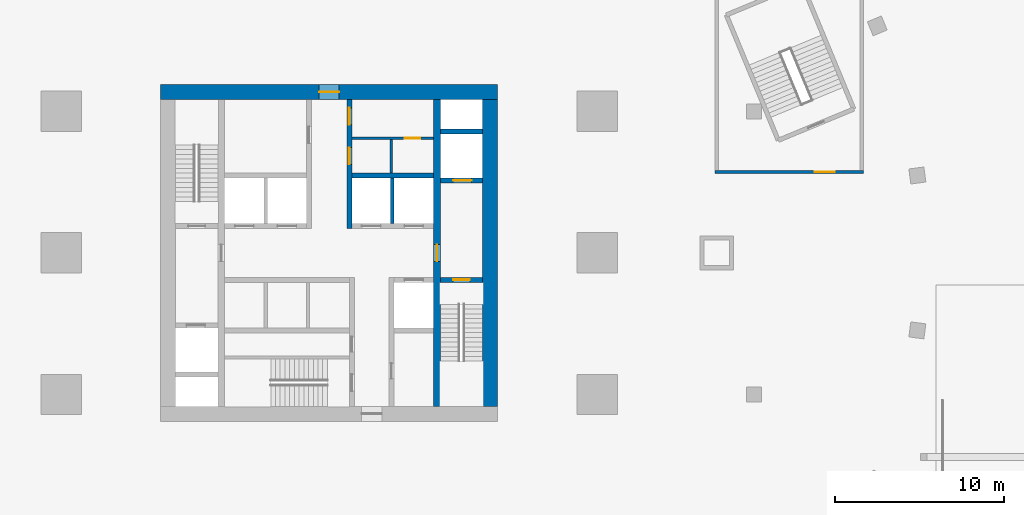
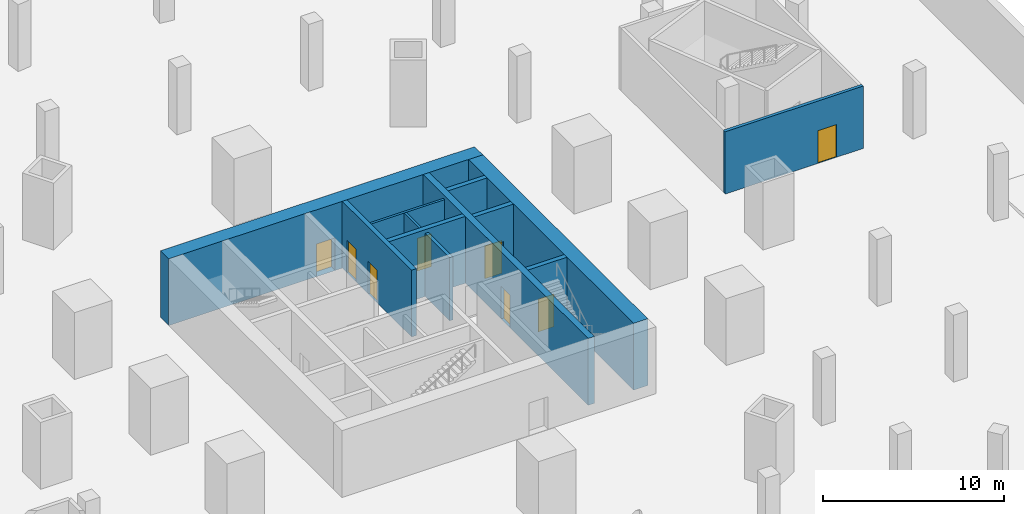
# One storey, part 4 of 9: 12 walls, 8 doors, 8 openings.
"""IFC4 building model written with IfcOpenShell, lengths in metres."""

from ifc_helpers import new_model, si_unit, direction, frame, frame_2d, origin, place, context, subcontext, project, spatial, rectangle, extrude, material, layer, layer_set, type_object, element, fill, save


model = new_model("IFC4")

# Units and contexts
model_context = context("Model", 3, precision=1e-05, world=origin(), true_north=direction((0.0, 1.0)))
body_context = subcontext(model_context, "Body", "Model", "MODEL_VIEW")
ifc_project = project(units=[si_unit("LENGTHUNIT", "METRE"), si_unit("AREAUNIT", "SQUARE_METRE"), si_unit("VOLUMEUNIT", "CUBIC_METRE"), si_unit("PLANEANGLEUNIT", "RADIAN"), si_unit("MASSUNIT", "GRAM", prefix="KILO")], contexts=[model_context])

# Site, building, storey
site_placement = place(None, origin())
site = spatial("IfcSite", under=ifc_project, at=site_placement, CompositionType="ELEMENT")
building_placement = place(site_placement, origin())
building = spatial("IfcBuilding", under=site, at=building_placement, Name="Golbaran Civic Tower", CompositionType="ELEMENT")
storey_placement = place(building_placement, frame((0.0, 0.0, -9.0)))
storey = spatial("IfcBuildingStorey", under=building, at=storey_placement, Name="B2", CompositionType="ELEMENT", Elevation=-9.0)

# Wall, opening, door
ifc_material_1 = material(Name="Concrete block", Category="concrete")
ifc_layer_1 = layer(ifc_material_1, 0.14990234375, Name="Concrete block")
ifc_layer_set_1 = layer_set([ifc_layer_1], Name="Concrete block")
wall_type_1 = type_object("IfcWallType", Name="BLOCKWORK PARTITION 150", PredefinedType="PARTITIONING", material=ifc_layer_set_1)
wall_1_placement = place(storey_placement, frame((1.35009765625, 6.800048828125, 0.0), z_axis=(0.0, 0.0, 1.0), x_axis=(1.0, 0.0, 0.0)))
wall_1 = element("IfcWall", 1, at=wall_1_placement, inside=storey, type_object=wall_type_1, Name="Toilet block partition TN1 B2", PredefinedType="PARTITIONING", context=body_context, shape_type="SweptSolid", body=[
    extrude(rectangle(XDim=4.849853515625, YDim=0.14990234375, at=frame_2d((2.4248046875, 0.0))), origin(), (0.0, 0.0, 1.0), 4.25),
])
opening_1_placement = place(wall_1_placement, frame((3.14990234375, 0.0, 0.0)))
opening_1 = element("IfcOpeningElement", 2, at=opening_1_placement, cuts=wall_1, Name="Opening B2.CLN", PredefinedType="OPENING", context=body_context, shape_type="SweptSolid", body=[
    extrude(rectangle(XDim=0.89990234375, YDim=2.199951171875, at=frame_2d((0.449951171875, 1.10009765625))), frame((0.0, 0.0849609375, 0.0), z_axis=(0.0, -1.0, 0.0), x_axis=(1.0, 0.0, 0.0)), (0.0, 0.0, 1.0), 0.169921875),
])
ifc_material_2 = material(Name="Timber door set in steel frame", Category="steel")
door_type_1 = type_object("IfcDoorType", Name="RISER DOOR 900x2200", OperationType="SINGLE_SWING_LEFT", PredefinedType="DOOR", material=ifc_material_2)
door_1_placement = place(opening_1_placement, origin())
door_1 = element("IfcDoor", 3, at=door_1_placement, inside=storey, type_object=door_type_1, Name="Cleaner's Store door", OperationType="SINGLE_SWING_RIGHT", OverallHeight=2.199951171875, OverallWidth=0.89990234375, PredefinedType="DOOR", context=body_context, shape_type="SweptSolid", body=[
    extrude(rectangle(XDim=0.89990234375, YDim=2.199951171875, at=frame_2d((0.449951171875, 1.10009765625))), frame((0.0, 0.02490234375, 0.0), z_axis=(0.0, -1.0, 0.0), x_axis=(1.0, 0.0, 0.0)), (0.0, 0.0, 1.0), 0.050048828125),
])
fill(opening_1, door_1)

# Wall
wall_2_placement = place(storey_placement, frame((3.699951171875, 4.75, 0.0), z_axis=(0.0, 0.0, 1.0), x_axis=(0.0, 1.0, 0.0)))
element("IfcWall", 4, at=wall_2_placement, inside=storey, type_object=wall_type_1, Name="Toilet block partition TN2 B2", PredefinedType="PARTITIONING", context=body_context, shape_type="SweptSolid", body=[
    extrude(rectangle(XDim=1.97509765625, YDim=0.14990234375, at=frame_2d((0.987548828125, 0.0))), origin(), (0.0, 0.0, 1.0), 4.25),
])

# Wall, opening, door
ifc_material_3 = material(Name="Concrete C50/60", Category="concrete")
ifc_layer_2 = layer(ifc_material_3, 0.39990234375, Name="Concrete C50/60")
ifc_layer_set_2 = layer_set([ifc_layer_2], Name="Concrete C50/60")
wall_type_2 = type_object("IfcWallType", Name="CORE WALL CONCRETE 400", PredefinedType="SOLIDWALL", material=ifc_layer_set_2)
wall_3_placement = place(storey_placement, frame((6.39990234375, 9.10009765625, 0.0), z_axis=(0.0, 0.0, 1.0), x_axis=(0.0, -1.0, 0.0)))
wall_3 = element("IfcWall", 5, at=wall_3_placement, inside=storey, type_object=wall_type_2, Name="Core wall IE B2", PredefinedType="SOLIDWALL", context=body_context, shape_type="SweptSolid", body=[
    extrude(rectangle(XDim=18.2001953125, YDim=0.39990234375, at=frame_2d((9.10009765625, 0.0))), origin(), (0.0, 0.0, 1.0), 4.5),
])
opening_2_placement = place(wall_3_placement, frame((8.60009765625, 0.0, 0.0)))
opening_2 = element("IfcOpeningElement", 6, at=opening_2_placement, cuts=wall_3, Name="Opening B2.FL2", PredefinedType="OPENING", context=body_context, shape_type="SweptSolid", body=[
    extrude(rectangle(XDim=1.0, YDim=2.199951171875, at=frame_2d((0.5, 1.10009765625))), frame((0.0, 0.2099609375, 0.0), z_axis=(0.0, -1.0, 0.0), x_axis=(1.0, 0.0, 0.0)), (0.0, 0.0, 1.0), 0.419921875),
])
door_type_2 = type_object("IfcDoorType", Name="STAIR DOOR 1000x2200", OperationType="SINGLE_SWING_LEFT", PredefinedType="DOOR", material=ifc_material_2)
door_2_placement = place(opening_2_placement, origin())
door_2 = element("IfcDoor", 7, at=door_2_placement, inside=storey, type_object=door_type_2, Name="Fire-fighting lobby FL2 door", OperationType="SINGLE_SWING_RIGHT", OverallHeight=2.199951171875, OverallWidth=1.0, PredefinedType="DOOR", context=body_context, shape_type="SweptSolid", body=[
    extrude(rectangle(XDim=1.0, YDim=2.199951171875, at=frame_2d((0.5, 1.10009765625))), frame((0.0, 0.02490234375, 0.0), z_axis=(0.0, -1.0, 0.0), x_axis=(1.0, 0.0, 0.0)), (0.0, 0.0, 1.0), 0.050048828125),
])
fill(opening_2, door_2)

ifc_layer_3 = layer(ifc_material_3, 0.89990234375, Name="Concrete C50/60")
ifc_layer_set_3 = layer_set([ifc_layer_3], Name="Concrete C50/60")
wall_type_3 = type_object("IfcWallType", Name="CORE WALL CONCRETE 900", PredefinedType="SOLIDWALL", material=ifc_layer_set_3)
wall_4_placement = place(storey_placement, frame((-10.0, 9.550048828125, 0.0), z_axis=(0.0, 0.0, 1.0), x_axis=(1.0, 0.0, 0.0)))
wall_4 = element("IfcWall", 8, at=wall_4_placement, inside=storey, type_object=wall_type_3, Name="Core wall CN B2", PredefinedType="SOLIDWALL", context=body_context, shape_type="SweptSolid", body=[
    extrude(rectangle(XDim=20.0, YDim=0.89990234375, at=frame_2d((10.0, 0.0))), origin(), (0.0, 0.0, 1.0), 4.5),
])
opening_3_placement = place(wall_4_placement, frame((9.39990234375, 0.0, 0.0)))
opening_3 = element("IfcOpeningElement", 9, at=opening_3_placement, cuts=wall_4, Name="Opening B2.CN", PredefinedType="OPENING", context=body_context, shape_type="SweptSolid", body=[
    extrude(rectangle(XDim=1.199951171875, YDim=2.199951171875, at=frame_2d((0.60009765625, 1.10009765625))), frame((0.0, 0.4599609375, 0.0), z_axis=(0.0, -1.0, 0.0), x_axis=(1.0, 0.0, 0.0)), (0.0, 0.0, 1.0), 0.919921875),
])
door_type_3 = type_object("IfcDoorType", Name="CORE DOOR 1200x2200", OperationType="DOUBLE_DOOR_SINGLE_SWING", PredefinedType="DOOR", material=ifc_material_2)
door_3_placement = place(opening_3_placement, origin())
door_3 = element("IfcDoor", 10, at=door_3_placement, inside=storey, type_object=door_type_3, Name="Core door north", OperationType="DOUBLE_DOOR_SINGLE_SWING", OverallHeight=2.199951171875, OverallWidth=1.199951171875, PredefinedType="DOOR", context=body_context, shape_type="SweptSolid", body=[
    extrude(rectangle(XDim=1.199951171875, YDim=2.199951171875, at=frame_2d((0.60009765625, 1.10009765625))), frame((0.0, 0.02490234375, 0.0), z_axis=(0.0, -1.0, 0.0), x_axis=(1.0, 0.0, 0.0)), (0.0, 0.0, 1.0), 0.050048828125),
])
fill(opening_3, door_3)

# Walls
wall_5_placement = place(storey_placement, frame((9.550048828125, -9.10009765625, 0.0), z_axis=(0.0, 0.0, 1.0), x_axis=(0.0, 1.0, 0.0)))
element("IfcWall", 11, at=wall_5_placement, inside=storey, type_object=wall_type_3, Name="Core wall CE B2", PredefinedType="SOLIDWALL", context=body_context, shape_type="SweptSolid", body=[
    extrude(rectangle(XDim=18.2001953125, YDim=0.89990234375, at=frame_2d((9.10009765625, 0.0))), origin(), (0.0, 0.0, 1.0), 4.5),
])
ifc_layer_4 = layer(ifc_material_1, 0.199951171875, Name="Concrete block")
ifc_layer_set_4 = layer_set([ifc_layer_4], Name="Concrete block")
wall_type_4 = type_object("IfcWallType", Name="LIFT SEPARATOR WALL 200", PredefinedType="SOLIDWALL", material=ifc_layer_set_4)
wall_6_placement = place(storey_placement, frame((3.75, 1.75, 0.0), z_axis=(0.0, 0.0, 1.0), x_axis=(0.0, 1.0, 0.0)))
element("IfcWall", 12, at=wall_6_placement, inside=storey, type_object=wall_type_4, Name="Core partition SNE B2", PredefinedType="SOLIDWALL", context=body_context, shape_type="SweptSolid", body=[
    extrude(rectangle(XDim=2.699951171875, YDim=0.199951171875, at=frame_2d((1.35009765625, 0.0))), origin(), (0.0, 0.0, 1.0), 4.25),
])
ifc_layer_5 = layer(ifc_material_3, 0.300048828125, Name="Concrete C50/60")
ifc_layer_set_5 = layer_set([ifc_layer_5], Name="Concrete C50/60")
wall_type_5 = type_object("IfcWallType", Name="SHAFT WALL CONCRETE 300", PredefinedType="SOLIDWALL", material=ifc_layer_set_5)
wall_7_placement = place(storey_placement, frame((1.35009765625, 4.60009765625, 0.0), z_axis=(0.0, 0.0, 1.0), x_axis=(1.0, 0.0, 0.0)))
element("IfcWall", 13, at=wall_7_placement, inside=storey, type_object=wall_type_5, Name="Core wall BNE B2", PredefinedType="SOLIDWALL", context=body_context, shape_type="SweptSolid", body=[
    extrude(rectangle(XDim=4.849853515625, YDim=0.300048828125, at=frame_2d((2.4248046875, 0.0))), origin(), (0.0, 0.0, 1.0), 4.5),
])

# Wall, openings, doors
wall_8_placement = place(storey_placement, frame((1.199951171875, 1.449951171875, 0.0), z_axis=(0.0, 0.0, 1.0), x_axis=(0.0, 1.0, 0.0)))
wall_8 = element("IfcWall", 14, at=wall_8_placement, inside=storey, type_object=wall_type_5, Name="Core wall PNE B2", PredefinedType="SOLIDWALL", context=body_context, shape_type="SweptSolid", body=[
    extrude(rectangle(XDim=7.650146484375, YDim=0.300048828125, at=frame_2d((3.8251953125, 0.0))), origin(), (0.0, 0.0, 1.0), 4.5),
])
opening_4_placement = place(wall_8_placement, frame((3.800048828125, 0.0, 0.0)))
opening_4 = element("IfcOpeningElement", 15, at=opening_4_placement, cuts=wall_8, Name="Opening B2.WCA", PredefinedType="OPENING", context=body_context, shape_type="SweptSolid", body=[
    extrude(rectangle(XDim=1.0, YDim=2.199951171875, at=frame_2d((0.5, 1.10009765625))), frame((0.0, 0.159912109375, 0.0), z_axis=(0.0, -1.0, 0.0), x_axis=(1.0, 0.0, 0.0)), (0.0, 0.0, 1.0), 0.320068359375),
])
opening_5_placement = place(wall_8_placement, frame((6.14990234375, 0.0, 0.0)))
opening_5 = element("IfcOpeningElement", 16, at=opening_5_placement, cuts=wall_8, Name="Opening B2.WCF", PredefinedType="OPENING", context=body_context, shape_type="SweptSolid", body=[
    extrude(rectangle(XDim=1.0, YDim=2.199951171875, at=frame_2d((0.5, 1.10009765625))), frame((0.0, 0.159912109375, 0.0), z_axis=(0.0, -1.0, 0.0), x_axis=(1.0, 0.0, 0.0)), (0.0, 0.0, 1.0), 0.320068359375),
])
door_type_4 = type_object("IfcDoorType", Name="TOILET DOOR 1000x2200", OperationType="SINGLE_SWING_LEFT", PredefinedType="DOOR", material=ifc_material_2)
door_4_placement = place(opening_4_placement, origin())
door_4 = element("IfcDoor", 17, at=door_4_placement, inside=storey, type_object=door_type_4, Name="Accessible WC door", OperationType="SINGLE_SWING_RIGHT", OverallHeight=2.199951171875, OverallWidth=1.0, PredefinedType="DOOR", context=body_context, shape_type="SweptSolid", body=[
    extrude(rectangle(XDim=1.0, YDim=2.199951171875, at=frame_2d((0.5, 1.10009765625))), frame((0.0, 0.02490234375, 0.0), z_axis=(0.0, -1.0, 0.0), x_axis=(1.0, 0.0, 0.0)), (0.0, 0.0, 1.0), 0.050048828125),
])
fill(opening_4, door_4)
door_5_placement = place(opening_5_placement, origin())
door_5 = element("IfcDoor", 18, at=door_5_placement, inside=storey, type_object=door_type_4, Name="North-east toilet block door", OperationType="SINGLE_SWING_RIGHT", OverallHeight=2.199951171875, OverallWidth=1.0, PredefinedType="DOOR", context=body_context, shape_type="SweptSolid", body=[
    extrude(rectangle(XDim=1.0, YDim=2.199951171875, at=frame_2d((0.5, 1.10009765625))), frame((0.0, 0.02490234375, 0.0), z_axis=(0.0, -1.0, 0.0), x_axis=(1.0, 0.0, 0.0)), (0.0, 0.0, 1.0), 0.050048828125),
])
fill(opening_5, door_5)

# Wall, opening, door
wall_9_placement = place(storey_placement, frame((6.60009765625, -1.60009765625, 0.0), z_axis=(0.0, 0.0, 1.0), x_axis=(1.0, 0.0, 0.0)))
wall_9 = element("IfcWall", 19, at=wall_9_placement, inside=storey, type_object=wall_type_5, Name="Core wall XE1 B2", PredefinedType="SOLIDWALL", context=body_context, shape_type="SweptSolid", body=[
    extrude(rectangle(XDim=2.5, YDim=0.300048828125, at=frame_2d((1.25, 0.0))), origin(), (0.0, 0.0, 1.0), 4.5),
])
opening_6_placement = place(wall_9_placement, frame((0.75, 0.0, 0.0)))
opening_6 = element("IfcOpeningElement", 20, at=opening_6_placement, cuts=wall_9, Name="Opening B2.S2", PredefinedType="OPENING", context=body_context, shape_type="SweptSolid", body=[
    extrude(rectangle(XDim=1.0, YDim=2.199951171875, at=frame_2d((0.5, 1.10009765625))), frame((0.0, 0.159912109375, 0.0), z_axis=(0.0, -1.0, 0.0), x_axis=(1.0, 0.0, 0.0)), (0.0, 0.0, 1.0), 0.320068359375),
])
door_6_placement = place(opening_6_placement, origin())
door_6 = element("IfcDoor", 21, at=door_6_placement, inside=storey, type_object=door_type_2, Name="Stair S2 door", OperationType="SINGLE_SWING_LEFT", OverallHeight=2.199951171875, OverallWidth=1.0, PredefinedType="DOOR", context=body_context, shape_type="SweptSolid", body=[
    extrude(rectangle(XDim=1.0, YDim=2.199951171875, at=frame_2d((0.5, 1.10009765625))), frame((0.0, 0.02490234375, 0.0), z_axis=(0.0, -1.0, 0.0), x_axis=(1.0, 0.0, 0.0)), (0.0, 0.0, 1.0), 0.050048828125),
])
fill(opening_6, door_6)

wall_10_placement = place(storey_placement, frame((6.60009765625, 4.300048828125, 0.0), z_axis=(0.0, 0.0, 1.0), x_axis=(1.0, 0.0, 0.0)))
wall_10 = element("IfcWall", 22, at=wall_10_placement, inside=storey, type_object=wall_type_5, Name="Core wall XE2 B2", PredefinedType="SOLIDWALL", context=body_context, shape_type="SweptSolid", body=[
    extrude(rectangle(XDim=2.5, YDim=0.300048828125, at=frame_2d((1.25, 0.0))), origin(), (0.0, 0.0, 1.0), 4.5),
])
opening_7_placement = place(wall_10_placement, frame((0.75, 0.0, 0.0)))
opening_7 = element("IfcOpeningElement", 23, at=opening_7_placement, cuts=wall_10, Name="Opening B2.LD-F2", PredefinedType="OPENING", context=body_context, shape_type="SweptSolid", body=[
    extrude(rectangle(XDim=1.10009765625, YDim=2.199951171875, at=frame_2d((0.550048828125, 1.10009765625))), frame((0.0, 0.159912109375, 0.0), z_axis=(0.0, -1.0, 0.0), x_axis=(1.0, 0.0, 0.0)), (0.0, 0.0, 1.0), 0.320068359375),
])
ifc_material_4 = material(Name="Stainless steel", Category="steel")
door_type_5 = type_object("IfcDoorType", Name="LIFT LANDING DOOR 1100x2200", OperationType="SLIDING_TO_LEFT", PredefinedType="DOOR", material=ifc_material_4)
door_7_placement = place(opening_7_placement, origin())
door_7 = element("IfcDoor", 24, at=door_7_placement, inside=storey, type_object=door_type_5, Name="Lift landing door F2", OperationType="SLIDING_TO_LEFT", OverallHeight=2.199951171875, OverallWidth=1.10009765625, PredefinedType="DOOR", context=body_context, shape_type="SweptSolid", body=[
    extrude(rectangle(XDim=1.10009765625, YDim=2.199951171875, at=frame_2d((0.550048828125, 1.10009765625))), frame((0.0, 0.02490234375, 0.0), z_axis=(0.0, -1.0, 0.0), x_axis=(1.0, 0.0, 0.0)), (0.0, 0.0, 1.0), 0.050048828125),
])
fill(opening_7, door_7)

# Wall
wall_11_placement = place(storey_placement, frame((6.60009765625, 7.199951171875, 0.0), z_axis=(0.0, 0.0, 1.0), x_axis=(1.0, 0.0, 0.0)))
element("IfcWall", 25, at=wall_11_placement, inside=storey, type_object=wall_type_5, Name="Core wall XE3 B2", PredefinedType="SOLIDWALL", context=body_context, shape_type="SweptSolid", body=[
    extrude(rectangle(XDim=2.5, YDim=0.300048828125, at=frame_2d((1.25, 0.0))), origin(), (0.0, 0.0, 1.0), 4.5),
])

# Wall, opening, door
ifc_material_5 = material(Name="Reinforced blockwork, fire-rated", Category="masonry")
ifc_layer_6 = layer(ifc_material_5, 0.199951171875, Name="Reinforced blockwork, fire-rated")
ifc_layer_set_6 = layer_set([ifc_layer_6], Name="Reinforced blockwork, fire-rated")
wall_type_6 = type_object("IfcWallType", Name="STAIR LOBBY WALL 200", PredefinedType="PARTITIONING", material=ifc_layer_set_6)
wall_12_placement = place(storey_placement, frame((22.89990234375, 4.800048828125, 0.0), z_axis=(0.0, 0.0, 1.0), x_axis=(1.0, 0.0, 0.0)))
wall_12 = element("IfcWall", 26, at=wall_12_placement, inside=storey, type_object=wall_type_6, Name="Stair P1 lobby wall B2", PredefinedType="PARTITIONING", context=body_context, shape_type="SweptSolid", body=[
    extrude(rectangle(XDim=8.800048828125, YDim=0.199951171875, at=frame_2d((4.39990234375, 0.0))), origin(), (0.0, 0.0, 1.0), 4.199951171875),
])
opening_8_placement = place(wall_12_placement, frame((5.89990234375, 0.0, 0.0)))
opening_8 = element("IfcOpeningElement", 27, at=opening_8_placement, cuts=wall_12, Name="Opening B2.05", PredefinedType="OPENING", context=body_context, shape_type="SweptSolid", body=[
    extrude(rectangle(XDim=1.199951171875, YDim=2.199951171875, at=frame_2d((0.60009765625, 1.10009765625))), frame((0.0, 0.10986328125, 0.0), z_axis=(0.0, -1.0, 0.0), x_axis=(1.0, 0.0, 0.0)), (0.0, 0.0, 1.0), 0.219970703125),
])
ifc_material_6 = material(Name="Steel door set, fire-rated, self-closing", Category="steel")
door_type_6 = type_object("IfcDoorType", Name="STAIR LOBBY FIRE DOOR 1200x2200", OperationType="SINGLE_SWING_LEFT", PredefinedType="DOOR", material=ifc_material_6)
door_8_placement = place(opening_8_placement, origin())
door_8 = element("IfcDoor", 28, at=door_8_placement, inside=storey, type_object=door_type_6, Name="Stair P1 lobby door B2", OperationType="SINGLE_SWING_RIGHT", OverallHeight=2.199951171875, OverallWidth=1.199951171875, PredefinedType="DOOR", context=body_context, shape_type="SweptSolid", body=[
    extrude(rectangle(XDim=1.199951171875, YDim=2.199951171875, at=frame_2d((0.60009765625, 1.10009765625))), frame((0.0, 0.02490234375, 0.0), z_axis=(0.0, -1.0, 0.0), x_axis=(1.0, 0.0, 0.0)), (0.0, 0.0, 1.0), 0.050048828125),
])
fill(opening_8, door_8)

save(model, "model.ifc")
